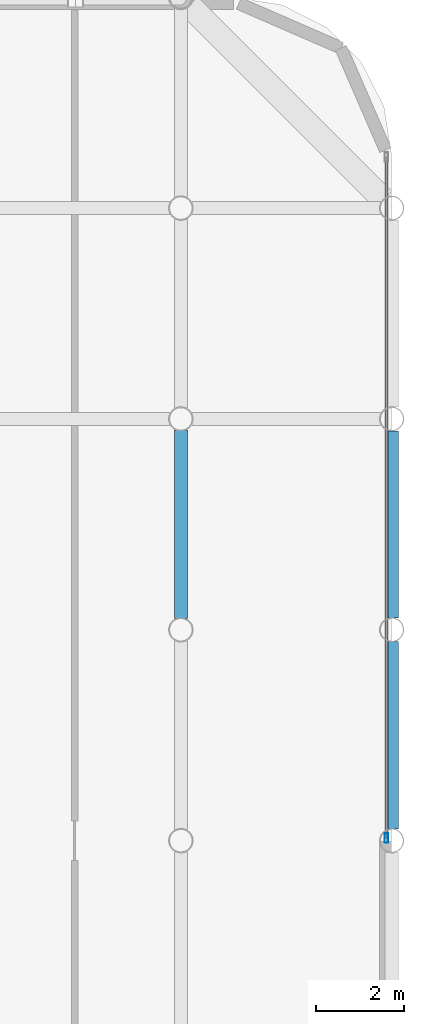
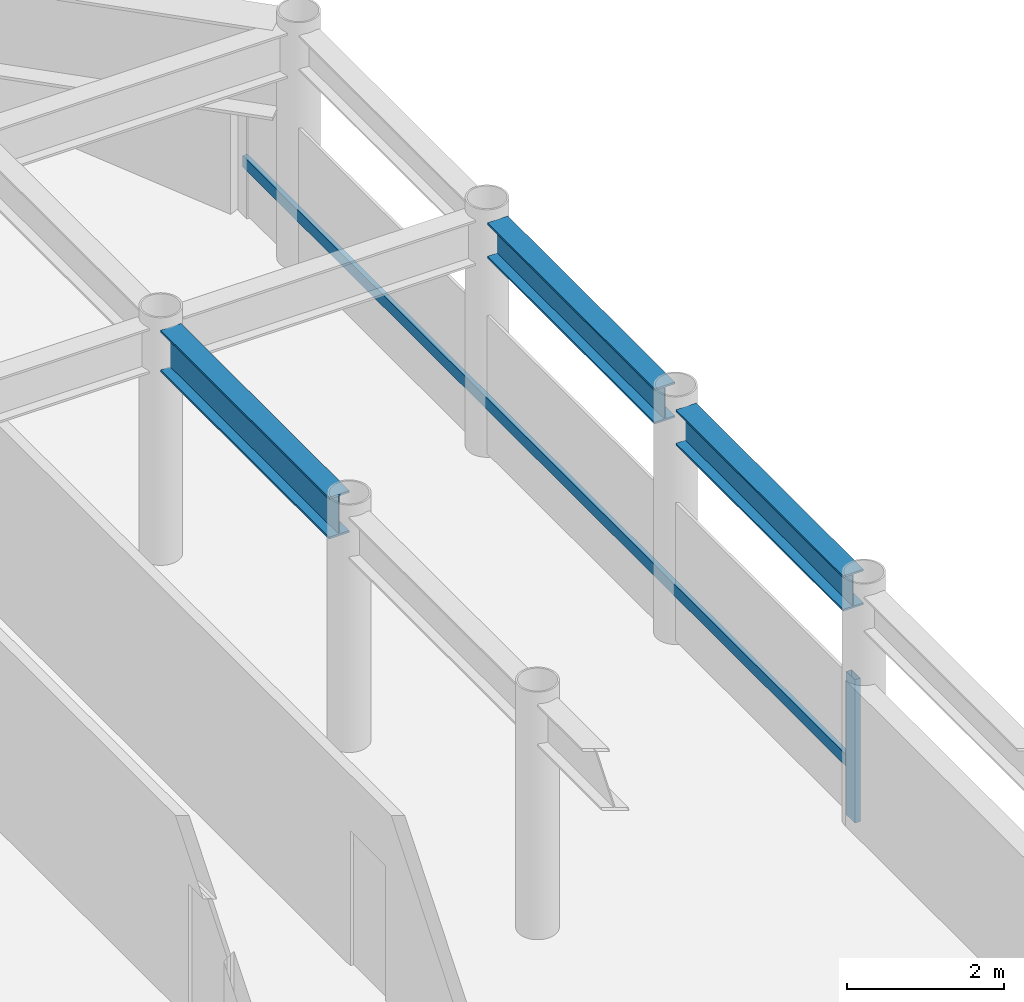
# One storey, part 10 of 22: 3 beams, 2 members, 1 element without a shape of its own.
"""IFC4 building model written with IfcOpenShell, lengths in metres."""

from ifc_helpers import new_model, si_unit, direction, frame, origin, origin_2d, place, context, subcontext, project, spatial, hollow_rectangle, i_section, extrude, material, layer, layer_set, material_profile, profile_set, type_object, element, aggregate, save


model = new_model("IFC4")

# Units and contexts
model_context = context("Model", 3, precision=1e-05, world=origin(), true_north=direction((0.0, 1.0)))
body_context = subcontext(model_context, "Body", "Model", "MODEL_VIEW")
ifc_project = project(units=[si_unit("LENGTHUNIT", "METRE"), si_unit("AREAUNIT", "SQUARE_METRE"), si_unit("VOLUMEUNIT", "CUBIC_METRE"), si_unit("PLANEANGLEUNIT", "RADIAN"), si_unit("MASSUNIT", "GRAM", prefix="KILO")], contexts=[model_context])

# Site, building, storey
site_placement = place(None, origin())
site = spatial("IfcSite", under=ifc_project, at=site_placement, CompositionType="ELEMENT")
building_placement = place(site_placement, origin())
building = spatial("IfcBuilding", under=site, at=building_placement, Name="Kallvorn Hotel Tower", CompositionType="ELEMENT")
storey_placement = place(building_placement, frame((0.0, 0.0, 206.89990234375)))
storey = spatial("IfcBuildingStorey", under=building, at=storey_placement, Name="L51", CompositionType="ELEMENT", Elevation=206.89990234375)

# Beams
ifc_material_1 = material(Name="Structural steel S355JR", Category="steel")
ifc_material_profile_1 = material_profile(ifc_material_1, i_section(OverallWidth=0.300048828125, OverallDepth=0.550048828125, WebThickness=0.014892578125, FlangeThickness=0.029052734375, at=origin_2d()), Name="HE 550 B")
ifc_profile_set_1 = profile_set([ifc_material_profile_1], Name="Structural steel S355JR")
beam_type_1 = type_object("IfcBeamType", Name="BM_HE550B", PredefinedType="SPANDREL", material=ifc_profile_set_1)
for number, where, z_axis, x_axis, name in (
    (1, (33.60009765625, 0.26953125, 3.39501953125), (0.0, 1.0, 0.0), (-1.0, 0.0, 0.0), "L52 Perimeter Spandrel 186"),
    (2, (33.60009765625, 5.069580078125, 3.39501953125), (0.0, 1.0, 0.0), (-1.0, 0.0, 0.0), "L52 Perimeter Spandrel 187"),
):
    element("IfcBeam", number, at=place(storey_placement, frame(where, z_axis=z_axis, x_axis=x_axis)), inside=storey, type_object=beam_type_1, Name=name, PredefinedType="SPANDREL", context=body_context, shape_type="SweptSolid", body=[
        extrude(i_section(OverallWidth=0.300048828125, OverallDepth=0.550048828125, WebThickness=0.014892578125, FlangeThickness=0.029052734375, at=origin_2d()), origin(), (0.0, 0.0, 1.0), 4.260986328125),
    ])
ifc_material_2 = material(Name="Structural steel S355JR", Category="steel")
ifc_material_profile_2 = material_profile(ifc_material_2, i_section(OverallWidth=0.300048828125, OverallDepth=0.64990234375, WebThickness=0.01611328125, FlangeThickness=0.031005859375, at=origin_2d()), Name="HE 650 B")
ifc_profile_set_2 = profile_set([ifc_material_profile_2], Name="Structural steel S355JR")
beam_type_2 = type_object("IfcBeamType", Name="BM_HE650B", PredefinedType="BEAM", material=ifc_profile_set_2)
beam_placement = place(storey_placement, frame((28.800048828125, 5.054443359375, 3.34521484375), z_axis=(0.0, 1.0, 0.0), x_axis=(-1.0, 0.0, 0.0)))
element("IfcBeam", 3, at=beam_placement, inside=storey, type_object=beam_type_2, Name="L52 Primary Y-Girder 148", PredefinedType="BEAM", context=body_context, shape_type="SweptSolid", body=[
    extrude(i_section(OverallWidth=0.300048828125, OverallDepth=0.64990234375, WebThickness=0.01611328125, FlangeThickness=0.031005859375, at=origin_2d()), origin(), (0.0, 0.0, 1.0), 4.291015625),
])

# Curtain wall, members
ifc_material_3 = material(Name="Thermally broken black-anodised aluminium AA 6063-T6", Category="aluminium")
ifc_layer = layer(ifc_material_3, 0.22998046875)
ifc_layer_set = layer_set([ifc_layer], Name="CW_SYS_5_HOTEL_HIGH")
curtain_wall_type = type_object("IfcCurtainWallType", Name="CW_SYS_5_HOTEL_HIGH", PredefinedType="USERDEFINED", material=ifc_layer_set)
curtain_wall_placement = place(storey_placement, origin())
curtain_wall = element("IfcCurtainWall", 4, at=curtain_wall_placement, inside=storey, type_object=curtain_wall_type, Name="L51 Dark-Glass Curtain Wall CW-L51-EN", ObjectType="UNITISED CURTAIN WALL", PredefinedType="USERDEFINED")
ifc_material_4 = material(Name="Thermally broken black-anodised aluminium AA 6063-T6", Category="aluminium")
ifc_material_profile_3 = material_profile(ifc_material_4, hollow_rectangle(XDim=0.080078125, YDim=0.219970703125, WallThickness=0.0048828125, at=origin_2d()), Name="MUL 220x80")
ifc_profile_set_3 = profile_set([ifc_material_profile_3], Name="Thermally broken black-anodised aluminium AA 6063-T6")
member_type_1 = type_object("IfcMemberType", Name="CW_MULLION_220x80", PredefinedType="MULLION", material=ifc_profile_set_3)
member_1_placement = place(storey_placement, frame((33.47998046875, 0.06005859375, 0.02001953125), z_axis=(0.0, 0.0, 1.0), x_axis=(1.0, 0.0, 0.0)))
member_1 = element("IfcMember", 5, at=member_1_placement, type_object=member_type_1, Name="CW-L51-EN Mullion 00", PredefinedType="MULLION", context=body_context, shape_type="SweptSolid", body=[
    extrude(hollow_rectangle(XDim=0.080078125, YDim=0.219970703125, WallThickness=0.0048828125, at=origin_2d()), origin(), (0.0, 0.0, 1.0), 2.22998046875),
])
ifc_material_5 = material(Name="Thermally broken black-anodised aluminium AA 6063-T6", Category="aluminium")
ifc_material_profile_4 = material_profile(ifc_material_5, hollow_rectangle(XDim=0.070068359375, YDim=0.179931640625, WallThickness=0.00390625, at=origin_2d()), Name="TRN 180x70")
ifc_profile_set_4 = profile_set([ifc_material_profile_4], Name="Thermally broken black-anodised aluminium AA 6063-T6")
member_type_2 = type_object("IfcMemberType", Name="CW_TRANSOM_180x70", PredefinedType="USERDEFINED", material=ifc_profile_set_4)
member_2_placement = place(storey_placement, frame((33.47998046875, 0.06005859375, 0.85009765625), z_axis=(0.0, 1.0, 0.0), x_axis=(-1.0, 0.0, 0.0)))
member_2 = element("IfcMember", 6, at=member_2_placement, type_object=member_type_2, Name="CW-L51-EN Transom 00M", ObjectType="TRANSOM", PredefinedType="USERDEFINED", context=body_context, shape_type="SweptSolid", body=[
    extrude(hollow_rectangle(XDim=0.070068359375, YDim=0.179931640625, WallThickness=0.00390625, at=origin_2d()), origin(), (0.0, 0.0, 1.0), 15.5),
])
aggregate(curtain_wall, [member_1, member_2])

save(model, "model.ifc")
